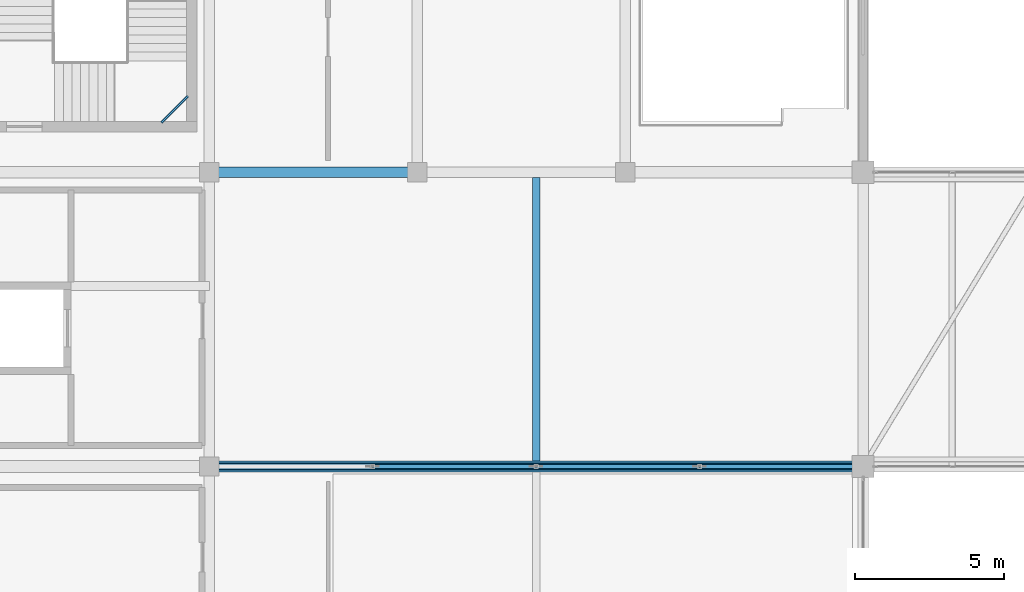
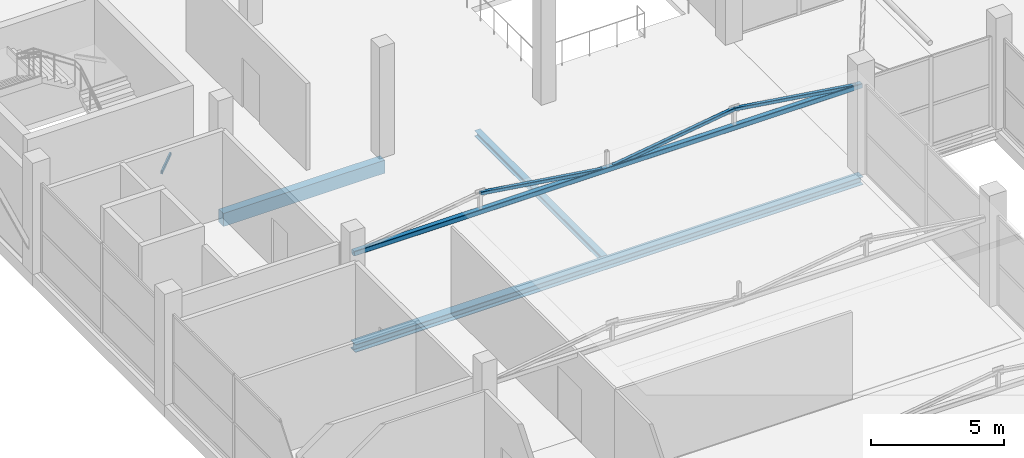
# One storey, part 29 of 67: 4 beams, 4 members.
"""IFC4 building model written with IfcOpenShell, lengths in metres."""

from ifc_helpers import new_model, si_unit, direction, frame, origin, origin_2d, place, context, subcontext, project, spatial, rectangle, hollow_rectangle, i_section, extrude, material, material_profile, profile_set, type_object, element, save


model = new_model("IFC4")

# Units and contexts
model_context = context("Model", 3, precision=1e-05, world=origin(), true_north=direction((0.0, 1.0)))
body_context = subcontext(model_context, "Body", "Model", "MODEL_VIEW")
ifc_project = project(units=[si_unit("LENGTHUNIT", "METRE"), si_unit("AREAUNIT", "SQUARE_METRE"), si_unit("VOLUMEUNIT", "CUBIC_METRE"), si_unit("PLANEANGLEUNIT", "RADIAN"), si_unit("MASSUNIT", "GRAM", prefix="KILO")], contexts=[model_context])

# Site, building, storey
site_placement = place(None, origin())
site = spatial("IfcSite", under=ifc_project, at=site_placement, CompositionType="ELEMENT")
building_placement = place(site_placement, origin())
building = spatial("IfcBuilding", under=site, at=building_placement, Name="Sillaruma Civic Art Gallery", CompositionType="ELEMENT")
storey_placement = place(building_placement, frame((0.0, 0.0, 46.919921875)))
storey = spatial("IfcBuildingStorey", under=building, at=storey_placement, Name="L09", CompositionType="ELEMENT", Elevation=46.919921875)

# Beams
ifc_material_1 = material(Name="Concrete H35 (35 MPa)", Category="concrete")
ifc_material_profile_1 = material_profile(ifc_material_1, rectangle(XDim=0.35009765625, YDim=0.60009765625, at=origin_2d()), Name="RCB350x600")
ifc_profile_set_1 = profile_set([ifc_material_profile_1], Name="Concrete H35 (35 MPa)")
beam_type_1 = type_object("IfcBeamType", Name="BM-BEAM-RCB350x600", PredefinedType="BEAM", material=ifc_profile_set_1)
beam_1_placement = place(storey_placement, frame((70.0, 79.199951171875, -0.5498046875), z_axis=(1.0, 0.0, 0.0), x_axis=(0.0, 1.0, 0.0)))
element("IfcBeam", 1, at=beam_1_placement, inside=storey, type_object=beam_type_1, Name="Beam BM-06 (L08:9:G-H)", PredefinedType="BEAM", context=body_context, shape_type="SweptSolid", body=[
    extrude(rectangle(XDim=0.35009765625, YDim=0.60009765625, at=origin_2d()), origin(), (0.0, 0.0, 1.0), 7.0),
])
ifc_material_2 = material(Name="Structural Steel ASTM A992 Gr.50", Category="steel")
ifc_material_profile_2 = material_profile(ifc_material_2, i_section(OverallWidth=0.256103515625, OverallDepth=0.260009765625, WebThickness=0.0107421875, FlangeThickness=0.017333984375, FilletRadius=0.012939453125, at=origin_2d()), Name="W250x89")
ifc_profile_set_2 = profile_set([ifc_material_profile_2], Name="Structural Steel ASTM A992 Gr.50")
beam_type_2 = type_object("IfcBeamType", Name="BM-JOIST-W250x89", PredefinedType="JOIST", material=ifc_profile_set_2)
beam_2_placement = place(storey_placement, frame((81.0, 69.485595703125, -0.3798828125), z_axis=(0.0, 1.0, 0.0), x_axis=(-1.0, 0.0, 0.0)))
element("IfcBeam", 2, at=beam_2_placement, inside=storey, type_object=beam_type_2, Name="Long-Span Gallery Joist JS-04 (L08:8-9)", PredefinedType="JOIST", context=body_context, shape_type="SweptSolid", body=[
    extrude(i_section(OverallWidth=0.256103515625, OverallDepth=0.260009765625, WebThickness=0.0107421875, FlangeThickness=0.017333984375, FilletRadius=0.012939453125, at=origin_2d()), origin(), (0.0, 0.0, 1.0), 9.539306640625),
])
ifc_material_3 = material(Name="Structural Steel ASTM A500 Gr.C", Category="steel")
ifc_material_profile_3 = material_profile(ifc_material_3, hollow_rectangle(XDim=0.080078125, YDim=0.159912109375, WallThickness=0.008056640625, InnerFilletRadius=0.008056640625, OuterFilletRadius=0.01611328125, at=origin_2d()), Name="HSS160x80x8")
ifc_profile_set_3 = profile_set([ifc_material_profile_3], Name="Structural Steel ASTM A500 Gr.C")
beam_type_3 = type_object("IfcBeamType", Name="BM-LND-HSS160", PredefinedType="BEAM", material=ifc_profile_set_3)
beam_3_placement = place(storey_placement, frame((68.389892578125, 80.8701171875, 1.080078125), z_axis=(0.707203758046, 0.707009791025, 0.0), x_axis=(-0.707009791025, 0.707203758046, 0.0)))
element("IfcBeam", 3, at=beam_3_placement, inside=storey, type_object=beam_type_3, Name="Stair Corner Landing Trimmer Beam (ST-02-L09-1)", PredefinedType="BEAM", context=body_context, shape_type="SweptSolid", body=[
    extrude(hollow_rectangle(XDim=0.080078125, YDim=0.159912109375, WallThickness=0.008056640625, InnerFilletRadius=0.008056640625, OuterFilletRadius=0.01611328125, at=origin_2d()), origin(), (0.0, 0.0, 1.0), 1.2587890625),
])
ifc_material_profile_4 = material_profile(ifc_material_2, i_section(OverallWidth=0.37109375, OverallDepth=0.364013671875, WebThickness=0.01318359375, FlangeThickness=0.021728515625, FilletRadius=0.014892578125, at=origin_2d()), Name="W360x162")
ifc_profile_set_4 = profile_set([ifc_material_profile_4], Name="Structural Steel ASTM A992 Gr.50")
beam_type_4 = type_object("IfcBeamType", Name="BM-TRTOP-W360x162", PredefinedType="BEAM", material=ifc_profile_set_4)
beam_4_placement = place(storey_placement, frame((70.0, 69.300048828125, -0.431884765625), z_axis=(1.0, 0.0, 0.0), x_axis=(0.0, 1.0, 0.0)))
element("IfcBeam", 4, at=beam_4_placement, inside=storey, type_object=beam_type_4, Name="Warren Truss Top Chord TR-L08-3", PredefinedType="BEAM", context=body_context, shape_type="SweptSolid", body=[
    extrude(i_section(OverallWidth=0.37109375, OverallDepth=0.364013671875, WebThickness=0.01318359375, FlangeThickness=0.021728515625, FilletRadius=0.014892578125, at=origin_2d()), origin(), (0.0, 0.0, 1.0), 22.0),
])

# Members
ifc_material_profile_5 = material_profile(ifc_material_3, hollow_rectangle(XDim=0.14990234375, YDim=0.14990234375, WallThickness=0.010009765625, InnerFilletRadius=0.010009765625, OuterFilletRadius=0.02001953125, at=origin_2d()), Name="HSS150x150x10")
ifc_profile_set_5 = profile_set([ifc_material_profile_5], Name="Structural Steel ASTM A500 Gr.C")
member_type_1 = type_object("IfcMemberType", Name="MEM-BRACE-HSS150x150x10", PredefinedType="BRACE", material=ifc_profile_set_5)
for number, where, z_axis, x_axis, name in (
    (5, (75.5, 69.300048828125, 4.66796875), (0.989384036218, 0.0, -0.145324563914), (0.0, 1.0, 0.0), "Warren Truss Diagonal TR-L09-3-D2"),
    (6, (81.0, 69.300048828125, 3.860107421875), (0.989384036218, 0.0, 0.145324563914), (0.0, 1.0, 0.0), "Warren Truss Diagonal TR-L09-3-D3"),
    (7, (86.5, 69.300048828125, 4.66796875), (0.989384036218, 0.0, -0.145324563914), (0.0, 1.0, 0.0), "Warren Truss Diagonal TR-L09-3-D4"),
):
    element("IfcMember", number, at=place(storey_placement, frame(where, z_axis=z_axis, x_axis=x_axis)), inside=storey, type_object=member_type_1, Name=name, PredefinedType="BRACE", context=body_context, shape_type="SweptSolid", body=[
        extrude(hollow_rectangle(XDim=0.14990234375, YDim=0.14990234375, WallThickness=0.010009765625, InnerFilletRadius=0.010009765625, OuterFilletRadius=0.02001953125, at=origin_2d()), origin(), (0.0, 0.0, 1.0), 5.55908203125),
    ])
ifc_material_profile_6 = material_profile(ifc_material_3, hollow_rectangle(XDim=0.219970703125, YDim=0.219970703125, WallThickness=0.012451171875, InnerFilletRadius=0.012451171875, OuterFilletRadius=0.02490234375, at=origin_2d()), Name="HSS220x220x12.5")
ifc_profile_set_6 = profile_set([ifc_material_profile_6], Name="Structural Steel ASTM A500 Gr.C")
member_type_2 = type_object("IfcMemberType", Name="MEM-CHORD-HSS220x220x12.5", PredefinedType="CHORD", material=ifc_profile_set_6)
member_placement = place(storey_placement, frame((70.0, 69.300048828125, 3.860107421875), z_axis=(1.0, 0.0, 0.0), x_axis=(0.0, 1.0, 0.0)))
element("IfcMember", 8, at=member_placement, inside=storey, type_object=member_type_2, Name="Warren Truss Bottom Chord TR-L09-3", PredefinedType="CHORD", context=body_context, shape_type="SweptSolid", body=[
    extrude(hollow_rectangle(XDim=0.219970703125, YDim=0.219970703125, WallThickness=0.012451171875, InnerFilletRadius=0.012451171875, OuterFilletRadius=0.02490234375, at=origin_2d()), origin(), (0.0, 0.0, 1.0), 22.0),
])

save(model, "model.ifc")
